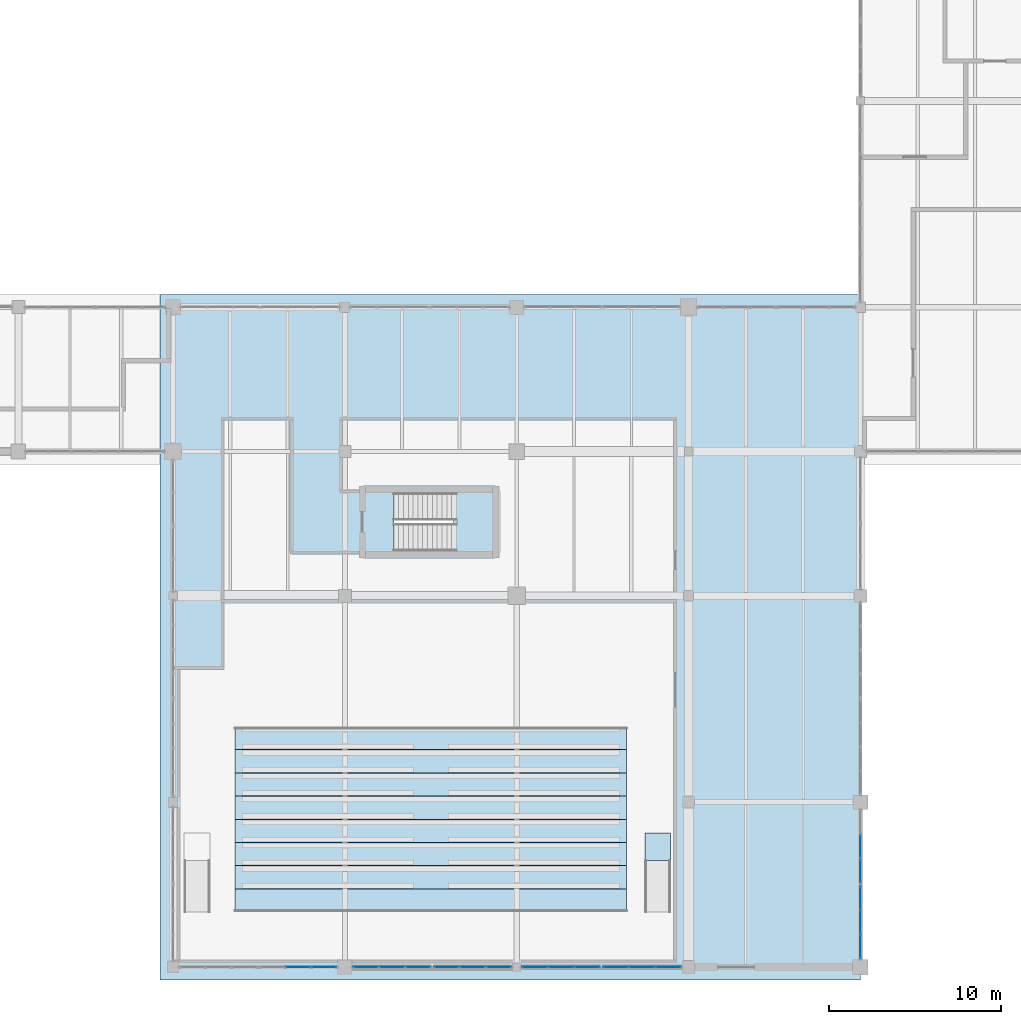
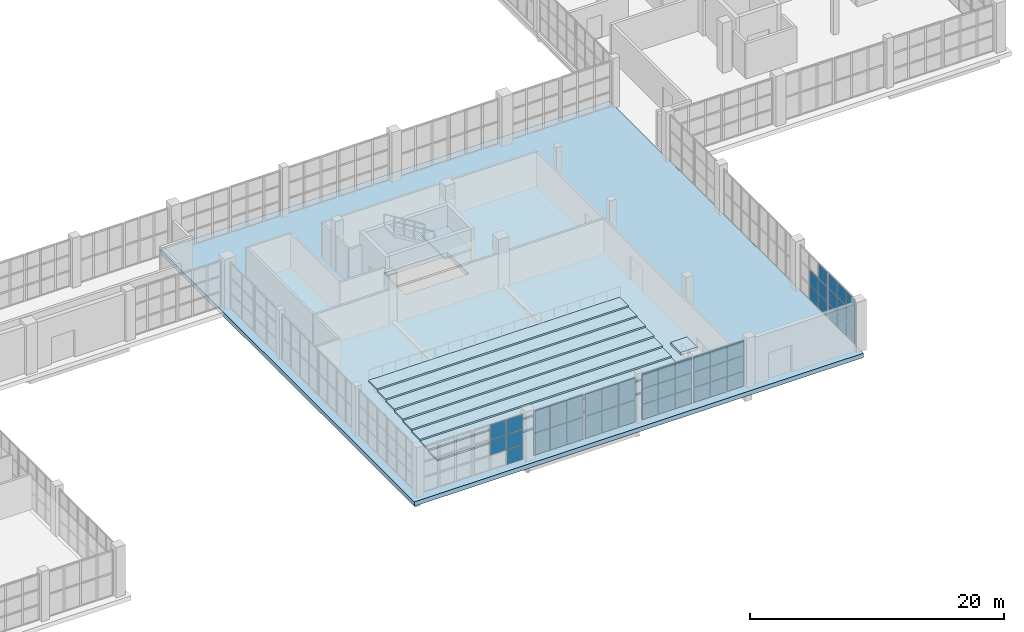
# One storey, part 91 of 121: 49 plates, 11 slabs, 9 elements without a shape of their own.
"""IFC4 building model written with IfcOpenShell, lengths in metres."""

from ifc_helpers import new_model, si_unit, direction, frame, origin, origin_2d, place, context, subcontext, project, spatial, polyline, rectangle, outline, extrude, material, layer, layer_set, type_object, element, aggregate, save


model = new_model("IFC4")

# Units and contexts
model_context = context("Model", 3, precision=1e-05, world=origin(), true_north=direction((0.0, 1.0)))
body_context = subcontext(model_context, "Body", "Model", "MODEL_VIEW")
ifc_project = project(units=[si_unit("LENGTHUNIT", "METRE"), si_unit("AREAUNIT", "SQUARE_METRE"), si_unit("VOLUMEUNIT", "CUBIC_METRE"), si_unit("PLANEANGLEUNIT", "RADIAN"), si_unit("MASSUNIT", "GRAM", prefix="KILO")], contexts=[model_context])

# Site, building, storey
site_placement = place(None, origin())
site = spatial("IfcSite", under=ifc_project, at=site_placement, CompositionType="ELEMENT")
building_placement = place(site_placement, origin())
building = spatial("IfcBuilding", under=site, at=building_placement, Name="Zereglee Splitstone Museum", CompositionType="ELEMENT")
storey_placement = place(building_placement, origin())
storey = spatial("IfcBuildingStorey", under=building, at=storey_placement, Name="L00", CompositionType="ELEMENT", Elevation=0.0)

# Curtain wall, plates
ifc_material_1 = material(Name="Triple-glazed low-E argon glass and bronze-anodised aluminium", Category="aluminium")
ifc_layer_1 = layer(ifc_material_1, 0.179931640625)
ifc_layer_set_1 = layer_set([ifc_layer_1], Name="Triple-glazed low-E argon glass and bronze-anodised aluminium")
curtain_wall_type_1 = type_object("IfcCurtainWallType", Name="CW-0456-442", PredefinedType="USERDEFINED", material=ifc_layer_set_1)
curtain_wall_1_placement = place(storey_placement, origin())
curtain_wall_1 = element("IfcCurtainWall", 1, at=curtain_wall_1_placement, inside=storey, type_object=curtain_wall_type_1, Name="Glazed Curtain Wall CW-0456-442 (L00)", ObjectType="GLAZED CURTAIN WALL", PredefinedType="USERDEFINED")
ifc_material_2 = material(Name="Triple low-e argon insulated safety glass", Category="glass")
ifc_layer_2 = layer(ifc_material_2, 0.035888671875)
ifc_layer_set_2 = layer_set([ifc_layer_2], Name="Triple low-e argon insulated safety glass")
plate_type = type_object("IfcPlateType", Name="CWP-01", PredefinedType="CURTAIN_PANEL", material=ifc_layer_set_2)
plate_1_placement = place(storey_placement, frame((263.28466796875, 0.0, 1.505859375), z_axis=(0.0, 0.0, 1.0), x_axis=(1.0, 0.0, 0.0)))
plate_1 = element("IfcPlate", 2, at=plate_1_placement, type_object=plate_type, Name="CW-0456-442 panel 2.2", PredefinedType="CURTAIN_PANEL", context=body_context, shape_type="SweptSolid", body=[
    extrude(rectangle(XDim=1.45654296875, YDim=0.035888671875, at=origin_2d()), origin(), (0.0, 0.0, 1.0), 1.408447265625),
])
plate_2_placement = place(storey_placement, frame((263.28466796875, 0.0, 2.97900390625), z_axis=(0.0, 0.0, 1.0), x_axis=(1.0, 0.0, 0.0)))
plate_2 = element("IfcPlate", 3, at=plate_2_placement, type_object=plate_type, Name="CW-0456-442 panel 2.3", PredefinedType="CURTAIN_PANEL", context=body_context, shape_type="SweptSolid", body=[
    extrude(rectangle(XDim=1.45654296875, YDim=0.035888671875, at=origin_2d()), origin(), (0.0, 0.0, 1.0), 1.375732421875),
])
plate_3_placement = place(storey_placement, frame((264.7900390625, 0.0, 0.06494140625), z_axis=(0.0, 0.0, 1.0), x_axis=(1.0, 0.0, 0.0)))
plate_3 = element("IfcPlate", 4, at=plate_3_placement, type_object=plate_type, Name="CW-0456-442 panel 3.1", PredefinedType="CURTAIN_PANEL", context=body_context, shape_type="SweptSolid", body=[
    extrude(rectangle(XDim=1.424072265625, YDim=0.035888671875, at=origin_2d()), origin(), (0.0, 0.0, 1.0), 1.375732421875),
])
plate_4_placement = place(storey_placement, frame((264.7900390625, 0.0, 1.505859375), z_axis=(0.0, 0.0, 1.0), x_axis=(1.0, 0.0, 0.0)))
plate_4 = element("IfcPlate", 5, at=plate_4_placement, type_object=plate_type, Name="CW-0456-442 panel 3.2", PredefinedType="CURTAIN_PANEL", context=body_context, shape_type="SweptSolid", body=[
    extrude(rectangle(XDim=1.424072265625, YDim=0.035888671875, at=origin_2d()), origin(), (0.0, 0.0, 1.0), 1.408447265625),
])
plate_5_placement = place(storey_placement, frame((264.7900390625, 0.0, 2.97900390625), z_axis=(0.0, 0.0, 1.0), x_axis=(1.0, 0.0, 0.0)))
plate_5 = element("IfcPlate", 6, at=plate_5_placement, type_object=plate_type, Name="CW-0456-442 panel 3.3", PredefinedType="CURTAIN_PANEL", context=body_context, shape_type="SweptSolid", body=[
    extrude(rectangle(XDim=1.424072265625, YDim=0.035888671875, at=origin_2d()), origin(), (0.0, 0.0, 1.0), 1.375732421875),
])
aggregate(curtain_wall_1, [plate_1, plate_2, plate_3, plate_4, plate_5])

ifc_layer_3 = layer(ifc_material_1, 0.179931640625)
ifc_layer_set_3 = layer_set([ifc_layer_3], Name="Triple-glazed low-E argon glass and bronze-anodised aluminium")
curtain_wall_type_2 = type_object("IfcCurtainWallType", Name="CW-0461-438", PredefinedType="USERDEFINED", material=ifc_layer_set_3)
curtain_wall_2_placement = place(storey_placement, origin())
curtain_wall_2 = element("IfcCurtainWall", 7, at=curtain_wall_2_placement, inside=storey, type_object=curtain_wall_type_2, Name="Glazed Curtain Wall CW-0461-438 (L00)", ObjectType="GLAZED CURTAIN WALL", PredefinedType="USERDEFINED")
plate_6_placement = place(storey_placement, frame((267.21826171875, 0.0, 0.06494140625), z_axis=(0.0, 0.0, 1.0), x_axis=(1.0, 0.0, 0.0)))
plate_6 = element("IfcPlate", 8, at=plate_6_placement, type_object=plate_type, Name="CW-0461-438 panel 1.1", PredefinedType="CURTAIN_PANEL", context=body_context, shape_type="SweptSolid", body=[
    extrude(rectangle(XDim=1.440673828125, YDim=0.035888671875, at=origin_2d()), origin(), (0.0, 0.0, 1.0), 2.092529296875),
])
plate_7_placement = place(storey_placement, frame((267.21826171875, 0.0, 2.22265625), z_axis=(0.0, 0.0, 1.0), x_axis=(1.0, 0.0, 0.0)))
plate_7 = element("IfcPlate", 9, at=plate_7_placement, type_object=plate_type, Name="CW-0461-438 panel 1.2", PredefinedType="CURTAIN_PANEL", context=body_context, shape_type="SweptSolid", body=[
    extrude(rectangle(XDim=1.440673828125, YDim=0.035888671875, at=origin_2d()), origin(), (0.0, 0.0, 1.0), 2.092529296875),
])
plate_8_placement = place(storey_placement, frame((268.740234375, 0.0, 0.06494140625), z_axis=(0.0, 0.0, 1.0), x_axis=(1.0, 0.0, 0.0)))
plate_8 = element("IfcPlate", 10, at=plate_8_placement, type_object=plate_type, Name="CW-0461-438 panel 2.1", PredefinedType="CURTAIN_PANEL", context=body_context, shape_type="SweptSolid", body=[
    extrude(rectangle(XDim=1.47314453125, YDim=0.035888671875, at=origin_2d()), origin(), (0.0, 0.0, 1.0), 2.092529296875),
])
plate_9_placement = place(storey_placement, frame((268.740234375, 0.0, 2.22265625), z_axis=(0.0, 0.0, 1.0), x_axis=(1.0, 0.0, 0.0)))
plate_9 = element("IfcPlate", 11, at=plate_9_placement, type_object=plate_type, Name="CW-0461-438 panel 2.2", PredefinedType="CURTAIN_PANEL", context=body_context, shape_type="SweptSolid", body=[
    extrude(rectangle(XDim=1.47314453125, YDim=0.035888671875, at=origin_2d()), origin(), (0.0, 0.0, 1.0), 2.092529296875),
])
plate_10_placement = place(storey_placement, frame((270.26220703125, 0.0, 0.06494140625), z_axis=(0.0, 0.0, 1.0), x_axis=(1.0, 0.0, 0.0)))
plate_10 = element("IfcPlate", 12, at=plate_10_placement, type_object=plate_type, Name="CW-0461-438 panel 3.1", PredefinedType="CURTAIN_PANEL", context=body_context, shape_type="SweptSolid", body=[
    extrude(rectangle(XDim=1.440673828125, YDim=0.035888671875, at=origin_2d()), origin(), (0.0, 0.0, 1.0), 2.092529296875),
])
plate_11_placement = place(storey_placement, frame((270.26220703125, 0.0, 2.22265625), z_axis=(0.0, 0.0, 1.0), x_axis=(1.0, 0.0, 0.0)))
plate_11 = element("IfcPlate", 13, at=plate_11_placement, type_object=plate_type, Name="CW-0461-438 panel 3.2", PredefinedType="CURTAIN_PANEL", context=body_context, shape_type="SweptSolid", body=[
    extrude(rectangle(XDim=1.440673828125, YDim=0.035888671875, at=origin_2d()), origin(), (0.0, 0.0, 1.0), 2.092529296875),
])
aggregate(curtain_wall_2, [plate_6, plate_7, plate_8, plate_9, plate_10, plate_11])

ifc_layer_4 = layer(ifc_material_1, 0.179931640625)
ifc_layer_set_4 = layer_set([ifc_layer_4], Name="Triple-glazed low-E argon glass and bronze-anodised aluminium")
curtain_wall_type_3 = type_object("IfcCurtainWallType", Name="CW-0461-436", PredefinedType="USERDEFINED", material=ifc_layer_set_4)
curtain_wall_3_placement = place(storey_placement, origin())
curtain_wall_3 = element("IfcCurtainWall", 14, at=curtain_wall_3_placement, inside=storey, type_object=curtain_wall_type_3, Name="Glazed Curtain Wall CW-0461-436 (L00)", ObjectType="GLAZED CURTAIN WALL", PredefinedType="USERDEFINED")
plate_12_placement = place(storey_placement, frame((271.912841796875, 0.0, 0.06494140625), z_axis=(0.0, 0.0, 1.0), x_axis=(1.0, 0.0, 0.0)))
plate_12 = element("IfcPlate", 15, at=plate_12_placement, type_object=plate_type, Name="CW-0461-436 panel 1.1", PredefinedType="CURTAIN_PANEL", context=body_context, shape_type="SweptSolid", body=[
    extrude(rectangle(XDim=1.440673828125, YDim=0.035888671875, at=origin_2d()), origin(), (0.0, 0.0, 1.0), 2.08251953125),
])
plate_13_placement = place(storey_placement, frame((271.912841796875, 0.0, 2.21240234375), z_axis=(0.0, 0.0, 1.0), x_axis=(1.0, 0.0, 0.0)))
plate_13 = element("IfcPlate", 16, at=plate_13_placement, type_object=plate_type, Name="CW-0461-436 panel 1.2", PredefinedType="CURTAIN_PANEL", context=body_context, shape_type="SweptSolid", body=[
    extrude(rectangle(XDim=1.440673828125, YDim=0.035888671875, at=origin_2d()), origin(), (0.0, 0.0, 1.0), 2.08251953125),
])
plate_14_placement = place(storey_placement, frame((273.434814453125, 0.0, 0.06494140625), z_axis=(0.0, 0.0, 1.0), x_axis=(1.0, 0.0, 0.0)))
plate_14 = element("IfcPlate", 17, at=plate_14_placement, type_object=plate_type, Name="CW-0461-436 panel 2.1", PredefinedType="CURTAIN_PANEL", context=body_context, shape_type="SweptSolid", body=[
    extrude(rectangle(XDim=1.47314453125, YDim=0.035888671875, at=origin_2d()), origin(), (0.0, 0.0, 1.0), 2.08251953125),
])
plate_15_placement = place(storey_placement, frame((273.434814453125, 0.0, 2.21240234375), z_axis=(0.0, 0.0, 1.0), x_axis=(1.0, 0.0, 0.0)))
plate_15 = element("IfcPlate", 18, at=plate_15_placement, type_object=plate_type, Name="CW-0461-436 panel 2.2", PredefinedType="CURTAIN_PANEL", context=body_context, shape_type="SweptSolid", body=[
    extrude(rectangle(XDim=1.47314453125, YDim=0.035888671875, at=origin_2d()), origin(), (0.0, 0.0, 1.0), 2.08251953125),
])
plate_16_placement = place(storey_placement, frame((274.956787109375, 0.0, 0.06494140625), z_axis=(0.0, 0.0, 1.0), x_axis=(1.0, 0.0, 0.0)))
plate_16 = element("IfcPlate", 19, at=plate_16_placement, type_object=plate_type, Name="CW-0461-436 panel 3.1", PredefinedType="CURTAIN_PANEL", context=body_context, shape_type="SweptSolid", body=[
    extrude(rectangle(XDim=1.440673828125, YDim=0.035888671875, at=origin_2d()), origin(), (0.0, 0.0, 1.0), 2.08251953125),
])
plate_17_placement = place(storey_placement, frame((274.956787109375, 0.0, 2.21240234375), z_axis=(0.0, 0.0, 1.0), x_axis=(1.0, 0.0, 0.0)))
plate_17 = element("IfcPlate", 20, at=plate_17_placement, type_object=plate_type, Name="CW-0461-436 panel 3.2", PredefinedType="CURTAIN_PANEL", context=body_context, shape_type="SweptSolid", body=[
    extrude(rectangle(XDim=1.440673828125, YDim=0.035888671875, at=origin_2d()), origin(), (0.0, 0.0, 1.0), 2.08251953125),
])
aggregate(curtain_wall_3, [plate_12, plate_13, plate_14, plate_15, plate_16, plate_17])

ifc_layer_5 = layer(ifc_material_1, 0.179931640625)
ifc_layer_set_5 = layer_set([ifc_layer_5], Name="Triple-glazed low-E argon glass and bronze-anodised aluminium")
curtain_wall_type_4 = type_object("IfcCurtainWallType", Name="CW-0464-450", PredefinedType="USERDEFINED", material=ifc_layer_set_5)
curtain_wall_4_placement = place(storey_placement, origin())
curtain_wall_4 = element("IfcCurtainWall", 21, at=curtain_wall_4_placement, inside=storey, type_object=curtain_wall_type_4, Name="Glazed Curtain Wall CW-0464-450 (L00)", ObjectType="GLAZED CURTAIN WALL", PredefinedType="USERDEFINED")
plate_18_placement = place(storey_placement, frame((277.047607421875, 0.0, 0.06494140625), z_axis=(0.0, 0.0, 1.0), x_axis=(1.0, 0.0, 0.0)))
plate_18 = element("IfcPlate", 22, at=plate_18_placement, type_object=plate_type, Name="CW-0464-450 panel 1.1", PredefinedType="CURTAIN_PANEL", context=body_context, shape_type="SweptSolid", body=[
    extrude(rectangle(XDim=1.448974609375, YDim=0.035888671875, at=origin_2d()), origin(), (0.0, 0.0, 1.0), 1.402587890625),
])
plate_19_placement = place(storey_placement, frame((277.047607421875, 0.0, 1.532470703125), z_axis=(0.0, 0.0, 1.0), x_axis=(1.0, 0.0, 0.0)))
plate_19 = element("IfcPlate", 23, at=plate_19_placement, type_object=plate_type, Name="CW-0464-450 panel 1.2", PredefinedType="CURTAIN_PANEL", context=body_context, shape_type="SweptSolid", body=[
    extrude(rectangle(XDim=1.448974609375, YDim=0.035888671875, at=origin_2d()), origin(), (0.0, 0.0, 1.0), 1.43505859375),
])
plate_20_placement = place(storey_placement, frame((277.047607421875, 0.0, 3.0322265625), z_axis=(0.0, 0.0, 1.0), x_axis=(1.0, 0.0, 0.0)))
plate_20 = element("IfcPlate", 24, at=plate_20_placement, type_object=plate_type, Name="CW-0464-450 panel 1.3", PredefinedType="CURTAIN_PANEL", context=body_context, shape_type="SweptSolid", body=[
    extrude(rectangle(XDim=1.448974609375, YDim=0.035888671875, at=origin_2d()), origin(), (0.0, 0.0, 1.0), 1.402587890625),
])
plate_21_placement = place(storey_placement, frame((278.57763671875, 0.0, 0.06494140625), z_axis=(0.0, 0.0, 1.0), x_axis=(1.0, 0.0, 0.0)))
plate_21 = element("IfcPlate", 25, at=plate_21_placement, type_object=plate_type, Name="CW-0464-450 panel 2.1", PredefinedType="CURTAIN_PANEL", context=body_context, shape_type="SweptSolid", body=[
    extrude(rectangle(XDim=1.4814453125, YDim=0.035888671875, at=origin_2d()), origin(), (0.0, 0.0, 1.0), 1.402587890625),
])
plate_22_placement = place(storey_placement, frame((278.57763671875, 0.0, 1.532470703125), z_axis=(0.0, 0.0, 1.0), x_axis=(1.0, 0.0, 0.0)))
plate_22 = element("IfcPlate", 26, at=plate_22_placement, type_object=plate_type, Name="CW-0464-450 panel 2.2", PredefinedType="CURTAIN_PANEL", context=body_context, shape_type="SweptSolid", body=[
    extrude(rectangle(XDim=1.4814453125, YDim=0.035888671875, at=origin_2d()), origin(), (0.0, 0.0, 1.0), 1.43505859375),
])
plate_23_placement = place(storey_placement, frame((278.57763671875, 0.0, 3.0322265625), z_axis=(0.0, 0.0, 1.0), x_axis=(1.0, 0.0, 0.0)))
plate_23 = element("IfcPlate", 27, at=plate_23_placement, type_object=plate_type, Name="CW-0464-450 panel 2.3", PredefinedType="CURTAIN_PANEL", context=body_context, shape_type="SweptSolid", body=[
    extrude(rectangle(XDim=1.4814453125, YDim=0.035888671875, at=origin_2d()), origin(), (0.0, 0.0, 1.0), 1.402587890625),
])
plate_24_placement = place(storey_placement, frame((280.10791015625, 0.0, 0.06494140625), z_axis=(0.0, 0.0, 1.0), x_axis=(1.0, 0.0, 0.0)))
plate_24 = element("IfcPlate", 28, at=plate_24_placement, type_object=plate_type, Name="CW-0464-450 panel 3.1", PredefinedType="CURTAIN_PANEL", context=body_context, shape_type="SweptSolid", body=[
    extrude(rectangle(XDim=1.448974609375, YDim=0.035888671875, at=origin_2d()), origin(), (0.0, 0.0, 1.0), 1.402587890625),
])
plate_25_placement = place(storey_placement, frame((280.10791015625, 0.0, 1.532470703125), z_axis=(0.0, 0.0, 1.0), x_axis=(1.0, 0.0, 0.0)))
plate_25 = element("IfcPlate", 29, at=plate_25_placement, type_object=plate_type, Name="CW-0464-450 panel 3.2", PredefinedType="CURTAIN_PANEL", context=body_context, shape_type="SweptSolid", body=[
    extrude(rectangle(XDim=1.448974609375, YDim=0.035888671875, at=origin_2d()), origin(), (0.0, 0.0, 1.0), 1.43505859375),
])
plate_26_placement = place(storey_placement, frame((280.10791015625, 0.0, 3.0322265625), z_axis=(0.0, 0.0, 1.0), x_axis=(1.0, 0.0, 0.0)))
plate_26 = element("IfcPlate", 30, at=plate_26_placement, type_object=plate_type, Name="CW-0464-450 panel 3.3", PredefinedType="CURTAIN_PANEL", context=body_context, shape_type="SweptSolid", body=[
    extrude(rectangle(XDim=1.448974609375, YDim=0.035888671875, at=origin_2d()), origin(), (0.0, 0.0, 1.0), 1.402587890625),
])
aggregate(curtain_wall_4, [plate_18, plate_19, plate_20, plate_21, plate_22, plate_23, plate_24, plate_25, plate_26])

ifc_layer_6 = layer(ifc_material_1, 0.179931640625)
ifc_layer_set_6 = layer_set([ifc_layer_6], Name="Triple-glazed low-E argon glass and bronze-anodised aluminium")
curtain_wall_type_5 = type_object("IfcCurtainWallType", Name="CW-0464-448", PredefinedType="USERDEFINED", material=ifc_layer_set_6)
curtain_wall_5_placement = place(storey_placement, origin())
curtain_wall_5 = element("IfcCurtainWall", 31, at=curtain_wall_5_placement, inside=storey, type_object=curtain_wall_type_5, Name="Glazed Curtain Wall CW-0464-448 (L00)", ObjectType="GLAZED CURTAIN WALL", PredefinedType="USERDEFINED")
plate_27_placement = place(storey_placement, frame((281.76708984375, 0.0, 0.06494140625), z_axis=(0.0, 0.0, 1.0), x_axis=(1.0, 0.0, 0.0)))
plate_27 = element("IfcPlate", 32, at=plate_27_placement, type_object=plate_type, Name="CW-0464-448 panel 1.1", PredefinedType="CURTAIN_PANEL", context=body_context, shape_type="SweptSolid", body=[
    extrude(rectangle(XDim=1.448974609375, YDim=0.035888671875, at=origin_2d()), origin(), (0.0, 0.0, 1.0), 1.395751953125),
])
plate_28_placement = place(storey_placement, frame((281.76708984375, 0.0, 1.52587890625), z_axis=(0.0, 0.0, 1.0), x_axis=(1.0, 0.0, 0.0)))
plate_28 = element("IfcPlate", 33, at=plate_28_placement, type_object=plate_type, Name="CW-0464-448 panel 1.2", PredefinedType="CURTAIN_PANEL", context=body_context, shape_type="SweptSolid", body=[
    extrude(rectangle(XDim=1.448974609375, YDim=0.035888671875, at=origin_2d()), origin(), (0.0, 0.0, 1.0), 1.428466796875),
])
plate_29_placement = place(storey_placement, frame((281.76708984375, 0.0, 3.01904296875), z_axis=(0.0, 0.0, 1.0), x_axis=(1.0, 0.0, 0.0)))
plate_29 = element("IfcPlate", 34, at=plate_29_placement, type_object=plate_type, Name="CW-0464-448 panel 1.3", PredefinedType="CURTAIN_PANEL", context=body_context, shape_type="SweptSolid", body=[
    extrude(rectangle(XDim=1.448974609375, YDim=0.035888671875, at=origin_2d()), origin(), (0.0, 0.0, 1.0), 1.395751953125),
])
plate_30_placement = place(storey_placement, frame((283.29736328125, 0.0, 0.06494140625), z_axis=(0.0, 0.0, 1.0), x_axis=(1.0, 0.0, 0.0)))
plate_30 = element("IfcPlate", 35, at=plate_30_placement, type_object=plate_type, Name="CW-0464-448 panel 2.1", PredefinedType="CURTAIN_PANEL", context=body_context, shape_type="SweptSolid", body=[
    extrude(rectangle(XDim=1.4814453125, YDim=0.035888671875, at=origin_2d()), origin(), (0.0, 0.0, 1.0), 1.395751953125),
])
plate_31_placement = place(storey_placement, frame((283.29736328125, 0.0, 1.52587890625), z_axis=(0.0, 0.0, 1.0), x_axis=(1.0, 0.0, 0.0)))
plate_31 = element("IfcPlate", 36, at=plate_31_placement, type_object=plate_type, Name="CW-0464-448 panel 2.2", PredefinedType="CURTAIN_PANEL", context=body_context, shape_type="SweptSolid", body=[
    extrude(rectangle(XDim=1.4814453125, YDim=0.035888671875, at=origin_2d()), origin(), (0.0, 0.0, 1.0), 1.428466796875),
])
plate_32_placement = place(storey_placement, frame((283.29736328125, 0.0, 3.01904296875), z_axis=(0.0, 0.0, 1.0), x_axis=(1.0, 0.0, 0.0)))
plate_32 = element("IfcPlate", 37, at=plate_32_placement, type_object=plate_type, Name="CW-0464-448 panel 2.3", PredefinedType="CURTAIN_PANEL", context=body_context, shape_type="SweptSolid", body=[
    extrude(rectangle(XDim=1.4814453125, YDim=0.035888671875, at=origin_2d()), origin(), (0.0, 0.0, 1.0), 1.395751953125),
])
plate_33_placement = place(storey_placement, frame((284.827392578125, 0.0, 0.06494140625), z_axis=(0.0, 0.0, 1.0), x_axis=(1.0, 0.0, 0.0)))
plate_33 = element("IfcPlate", 38, at=plate_33_placement, type_object=plate_type, Name="CW-0464-448 panel 3.1", PredefinedType="CURTAIN_PANEL", context=body_context, shape_type="SweptSolid", body=[
    extrude(rectangle(XDim=1.448974609375, YDim=0.035888671875, at=origin_2d()), origin(), (0.0, 0.0, 1.0), 1.395751953125),
])
plate_34_placement = place(storey_placement, frame((284.827392578125, 0.0, 1.52587890625), z_axis=(0.0, 0.0, 1.0), x_axis=(1.0, 0.0, 0.0)))
plate_34 = element("IfcPlate", 39, at=plate_34_placement, type_object=plate_type, Name="CW-0464-448 panel 3.2", PredefinedType="CURTAIN_PANEL", context=body_context, shape_type="SweptSolid", body=[
    extrude(rectangle(XDim=1.448974609375, YDim=0.035888671875, at=origin_2d()), origin(), (0.0, 0.0, 1.0), 1.428466796875),
])
plate_35_placement = place(storey_placement, frame((284.827392578125, 0.0, 3.01904296875), z_axis=(0.0, 0.0, 1.0), x_axis=(1.0, 0.0, 0.0)))
plate_35 = element("IfcPlate", 40, at=plate_35_placement, type_object=plate_type, Name="CW-0464-448 panel 3.3", PredefinedType="CURTAIN_PANEL", context=body_context, shape_type="SweptSolid", body=[
    extrude(rectangle(XDim=1.448974609375, YDim=0.035888671875, at=origin_2d()), origin(), (0.0, 0.0, 1.0), 1.395751953125),
])
aggregate(curtain_wall_5, [plate_27, plate_28, plate_29, plate_30, plate_31, plate_32, plate_33, plate_34, plate_35])

ifc_layer_7 = layer(ifc_material_1, 0.179931640625)
ifc_layer_set_7 = layer_set([ifc_layer_7], Name="Triple-glazed low-E argon glass and bronze-anodised aluminium")
curtain_wall_type_6 = type_object("IfcCurtainWallType", Name="CW-0431-444", PredefinedType="USERDEFINED", material=ifc_layer_set_7)
curtain_wall_6_placement = place(storey_placement, origin())
curtain_wall_6 = element("IfcCurtainWall", 41, at=curtain_wall_6_placement, inside=storey, type_object=curtain_wall_type_6, Name="Glazed Curtain Wall CW-0431-444 (L00)", ObjectType="GLAZED CURTAIN WALL", PredefinedType="USERDEFINED")
plate_36_placement = place(storey_placement, frame((296.0, 1.193359375, 0.06494140625), z_axis=(0.0, 0.0, 1.0), x_axis=(0.0, 1.0, 0.0)))
plate_36 = element("IfcPlate", 42, at=plate_36_placement, type_object=plate_type, Name="CW-0431-444 panel 1.1", PredefinedType="CURTAIN_PANEL", context=body_context, shape_type="SweptSolid", body=[
    extrude(rectangle(XDim=1.340576171875, YDim=0.035888671875, at=origin_2d()), origin(), (0.0, 0.0, 1.0), 1.382568359375),
])
plate_37_placement = place(storey_placement, frame((296.0, 1.193359375, 1.512451171875), z_axis=(0.0, 0.0, 1.0), x_axis=(0.0, 1.0, 0.0)))
plate_37 = element("IfcPlate", 43, at=plate_37_placement, type_object=plate_type, Name="CW-0431-444 panel 1.2", PredefinedType="CURTAIN_PANEL", context=body_context, shape_type="SweptSolid", body=[
    extrude(rectangle(XDim=1.340576171875, YDim=0.035888671875, at=origin_2d()), origin(), (0.0, 0.0, 1.0), 1.4150390625),
])
plate_38_placement = place(storey_placement, frame((296.0, 1.193359375, 2.99267578125), z_axis=(0.0, 0.0, 1.0), x_axis=(0.0, 1.0, 0.0)))
plate_38 = element("IfcPlate", 44, at=plate_38_placement, type_object=plate_type, Name="CW-0431-444 panel 1.3", PredefinedType="CURTAIN_PANEL", context=body_context, shape_type="SweptSolid", body=[
    extrude(rectangle(XDim=1.340576171875, YDim=0.035888671875, at=origin_2d()), origin(), (0.0, 0.0, 1.0), 1.382568359375),
])
plate_39_placement = place(storey_placement, frame((296.0, 2.615234375, 0.06494140625), z_axis=(0.0, 0.0, 1.0), x_axis=(0.0, 1.0, 0.0)))
plate_39 = element("IfcPlate", 45, at=plate_39_placement, type_object=plate_type, Name="CW-0431-444 panel 2.1", PredefinedType="CURTAIN_PANEL", context=body_context, shape_type="SweptSolid", body=[
    extrude(rectangle(XDim=1.373046875, YDim=0.035888671875, at=origin_2d()), origin(), (0.0, 0.0, 1.0), 1.382568359375),
])
plate_40_placement = place(storey_placement, frame((296.0, 2.615234375, 1.512451171875), z_axis=(0.0, 0.0, 1.0), x_axis=(0.0, 1.0, 0.0)))
plate_40 = element("IfcPlate", 46, at=plate_40_placement, type_object=plate_type, Name="CW-0431-444 panel 2.2", PredefinedType="CURTAIN_PANEL", context=body_context, shape_type="SweptSolid", body=[
    extrude(rectangle(XDim=1.373046875, YDim=0.035888671875, at=origin_2d()), origin(), (0.0, 0.0, 1.0), 1.4150390625),
])
plate_41_placement = place(storey_placement, frame((296.0, 2.615234375, 2.99267578125), z_axis=(0.0, 0.0, 1.0), x_axis=(0.0, 1.0, 0.0)))
plate_41 = element("IfcPlate", 47, at=plate_41_placement, type_object=plate_type, Name="CW-0431-444 panel 2.3", PredefinedType="CURTAIN_PANEL", context=body_context, shape_type="SweptSolid", body=[
    extrude(rectangle(XDim=1.373046875, YDim=0.035888671875, at=origin_2d()), origin(), (0.0, 0.0, 1.0), 1.382568359375),
])
plate_42_placement = place(storey_placement, frame((296.0, 4.037109375, 0.06494140625), z_axis=(0.0, 0.0, 1.0), x_axis=(0.0, 1.0, 0.0)))
plate_42 = element("IfcPlate", 48, at=plate_42_placement, type_object=plate_type, Name="CW-0431-444 panel 3.1", PredefinedType="CURTAIN_PANEL", context=body_context, shape_type="SweptSolid", body=[
    extrude(rectangle(XDim=1.340576171875, YDim=0.035888671875, at=origin_2d()), origin(), (0.0, 0.0, 1.0), 1.382568359375),
])
plate_43_placement = place(storey_placement, frame((296.0, 4.037109375, 1.512451171875), z_axis=(0.0, 0.0, 1.0), x_axis=(0.0, 1.0, 0.0)))
plate_43 = element("IfcPlate", 49, at=plate_43_placement, type_object=plate_type, Name="CW-0431-444 panel 3.2", PredefinedType="CURTAIN_PANEL", context=body_context, shape_type="SweptSolid", body=[
    extrude(rectangle(XDim=1.340576171875, YDim=0.035888671875, at=origin_2d()), origin(), (0.0, 0.0, 1.0), 1.4150390625),
])
plate_44_placement = place(storey_placement, frame((296.0, 4.037109375, 2.99267578125), z_axis=(0.0, 0.0, 1.0), x_axis=(0.0, 1.0, 0.0)))
plate_44 = element("IfcPlate", 50, at=plate_44_placement, type_object=plate_type, Name="CW-0431-444 panel 3.3", PredefinedType="CURTAIN_PANEL", context=body_context, shape_type="SweptSolid", body=[
    extrude(rectangle(XDim=1.340576171875, YDim=0.035888671875, at=origin_2d()), origin(), (0.0, 0.0, 1.0), 1.382568359375),
])
aggregate(curtain_wall_6, [plate_36, plate_37, plate_38, plate_39, plate_40, plate_41, plate_42, plate_43, plate_44])

ifc_layer_8 = layer(ifc_material_1, 0.179931640625)
ifc_layer_set_8 = layer_set([ifc_layer_8], Name="Triple-glazed low-E argon glass and bronze-anodised aluminium")
curtain_wall_type_7 = type_object("IfcCurtainWallType", Name="CW-0431-442", PredefinedType="USERDEFINED", material=ifc_layer_set_8)
curtain_wall_7_placement = place(storey_placement, origin())
curtain_wall_7 = element("IfcCurtainWall", 51, at=curtain_wall_7_placement, inside=storey, type_object=curtain_wall_type_7, Name="Glazed Curtain Wall CW-0431-442 (L00)", ObjectType="GLAZED CURTAIN WALL", PredefinedType="USERDEFINED")
plate_45_placement = place(storey_placement, frame((296.0, 5.587890625, 0.06494140625), z_axis=(0.0, 0.0, 1.0), x_axis=(0.0, 1.0, 0.0)))
plate_45 = element("IfcPlate", 52, at=plate_45_placement, type_object=plate_type, Name="CW-0431-442 panel 1.1", PredefinedType="CURTAIN_PANEL", context=body_context, shape_type="SweptSolid", body=[
    extrude(rectangle(XDim=1.340576171875, YDim=0.035888671875, at=origin_2d()), origin(), (0.0, 0.0, 1.0), 1.375732421875),
])
plate_46_placement = place(storey_placement, frame((296.0, 5.587890625, 1.505859375), z_axis=(0.0, 0.0, 1.0), x_axis=(0.0, 1.0, 0.0)))
plate_46 = element("IfcPlate", 53, at=plate_46_placement, type_object=plate_type, Name="CW-0431-442 panel 1.2", PredefinedType="CURTAIN_PANEL", context=body_context, shape_type="SweptSolid", body=[
    extrude(rectangle(XDim=1.340576171875, YDim=0.035888671875, at=origin_2d()), origin(), (0.0, 0.0, 1.0), 1.408447265625),
])
plate_47_placement = place(storey_placement, frame((296.0, 5.587890625, 2.97900390625), z_axis=(0.0, 0.0, 1.0), x_axis=(0.0, 1.0, 0.0)))
plate_47 = element("IfcPlate", 54, at=plate_47_placement, type_object=plate_type, Name="CW-0431-442 panel 1.3", PredefinedType="CURTAIN_PANEL", context=body_context, shape_type="SweptSolid", body=[
    extrude(rectangle(XDim=1.340576171875, YDim=0.035888671875, at=origin_2d()), origin(), (0.0, 0.0, 1.0), 1.375732421875),
])
plate_48_placement = place(storey_placement, frame((296.0, 7.009765625, 0.06494140625), z_axis=(0.0, 0.0, 1.0), x_axis=(0.0, 1.0, 0.0)))
plate_48 = element("IfcPlate", 55, at=plate_48_placement, type_object=plate_type, Name="CW-0431-442 panel 2.1", PredefinedType="CURTAIN_PANEL", context=body_context, shape_type="SweptSolid", body=[
    extrude(rectangle(XDim=1.373046875, YDim=0.035888671875, at=origin_2d()), origin(), (0.0, 0.0, 1.0), 1.375732421875),
])
plate_49_placement = place(storey_placement, frame((296.0, 7.009765625, 1.505859375), z_axis=(0.0, 0.0, 1.0), x_axis=(0.0, 1.0, 0.0)))
plate_49 = element("IfcPlate", 56, at=plate_49_placement, type_object=plate_type, Name="CW-0431-442 panel 2.2", PredefinedType="CURTAIN_PANEL", context=body_context, shape_type="SweptSolid", body=[
    extrude(rectangle(XDim=1.373046875, YDim=0.035888671875, at=origin_2d()), origin(), (0.0, 0.0, 1.0), 1.408447265625),
])
aggregate(curtain_wall_7, [plate_45, plate_46, plate_47, plate_48, plate_49])

# Slab
ifc_material_3 = material(Name="Concrete C35/45", Category="concrete")
ifc_layer_9 = layer(ifc_material_3, 0.419921875)
ifc_layer_set_9 = layer_set([ifc_layer_9], Name="Concrete C35/45")
slab_type_1 = type_object("IfcSlabType", Name="FS-01", PredefinedType="FLOOR", material=ifc_layer_set_9)
slab_1_placement = place(storey_placement, frame((0.0, 0.0, -0.419921875)))
element("IfcSlab", 57, at=slab_1_placement, inside=storey, type_object=slab_type_1, Name="Gallery Floor Slab L00-V5", PredefinedType="FLOOR", context=body_context, shape_type="SweptSolid", body=[
    extrude(outline(polyline([(255.25, -0.75), (296.0, -0.75), (296.0, 39.14990234375), (255.25, 39.14990234375), (255.25, -0.75)]), holes=[polyline([(268.85400390625, 24.199951171875), (274.60009765625, 24.199951171875), (274.60009765625, 27.60009765625), (268.85400390625, 27.60009765625), (268.85400390625, 24.199951171875)])]), origin(), (0.0, 0.0, 1.0), 0.419921875),
])

# Ramp, slab
ramp_type = type_object("IfcRampType", Name="RMP-01", PredefinedType="STRAIGHT_RUN_RAMP", material=ifc_material_3)
ramp_placement = place(storey_placement, origin())
ramp = element("IfcRamp", 58, at=ramp_placement, inside=storey, type_object=ramp_type, Name="Auditorium Vomitory Ramp VR-2", PredefinedType="STRAIGHT_RUN_RAMP")
ifc_layer_10 = layer(ifc_material_3, 0.25)
ifc_layer_set_10 = layer_set([ifc_layer_10], Name="Concrete C35/45")
slab_type_2 = type_object("IfcSlabType", Name="LS-01", PredefinedType="LANDING", material=ifc_layer_set_10)
slab_2_placement = place(storey_placement, origin())
slab_2 = element("IfcSlab", 59, at=slab_2_placement, type_object=slab_type_2, Name="Auditorium Vomitory Ramp VR-2 Arrival Landing", PredefinedType="LANDING", context=body_context, shape_type="SweptSolid", body=[
    extrude(outline(polyline([(283.449951171875, 6.199951171875), (284.949951171875, 6.199951171875), (284.949951171875, 7.800048828125), (283.449951171875, 7.800048828125), (283.449951171875, 6.199951171875)])), origin(), (0.0, 0.0, 1.0), 0.25),
])
aggregate(ramp, [slab_2])

# Slabs
ifc_layer_11 = layer(ifc_material_3, 0.14990234375)
ifc_layer_set_11 = layer_set([ifc_layer_11], Name="Concrete C35/45")
slab_type_3 = type_object("IfcSlabType", Name="ST-T1", PredefinedType="USERDEFINED", material=ifc_layer_set_11)
slab_3_placement = place(storey_placement, origin())
element("IfcSlab", 60, at=slab_3_placement, inside=storey, type_object=slab_type_3, Name="Stand Lower Tier Bay 1", ObjectType="SEATING TIER", PredefinedType="USERDEFINED", context=body_context, shape_type="SweptSolid", body=[
    extrude(outline(polyline([(259.60009765625, 3.199951171875), (282.39990234375, 3.199951171875), (282.39990234375, 4.550048828125), (259.60009765625, 4.550048828125), (259.60009765625, 3.199951171875)])), origin(), (0.0, 0.0, 1.0), 0.14990234375),
])
slab_4_placement = place(storey_placement, frame((0.0, 0.0, 0.14990234375)))
element("IfcSlab", 61, at=slab_4_placement, inside=storey, type_object=slab_type_3, Name="Stand Lower Tier Bay 2", ObjectType="SEATING TIER", PredefinedType="USERDEFINED", context=body_context, shape_type="SweptSolid", body=[
    extrude(outline(polyline([(259.60009765625, 4.550048828125), (282.39990234375, 4.550048828125), (282.39990234375, 5.89990234375), (259.60009765625, 5.89990234375), (259.60009765625, 4.550048828125)])), origin(), (0.0, 0.0, 1.0), 0.150146484375),
])
slab_5_placement = place(storey_placement, frame((0.0, 0.0, 0.300048828125)))
element("IfcSlab", 62, at=slab_5_placement, inside=storey, type_object=slab_type_3, Name="Stand Lower Tier Bay 3", ObjectType="SEATING TIER", PredefinedType="USERDEFINED", context=body_context, shape_type="SweptSolid", body=[
    extrude(outline(polyline([(259.60009765625, 5.89990234375), (282.39990234375, 5.89990234375), (282.39990234375, 7.25), (259.60009765625, 7.25), (259.60009765625, 5.89990234375)])), origin(), (0.0, 0.0, 1.0), 0.14990234375),
])
slab_6_placement = place(storey_placement, frame((0.0, 0.0, 0.449951171875)))
element("IfcSlab", 63, at=slab_6_placement, inside=storey, type_object=slab_type_3, Name="Stand Lower Tier Bay 4", ObjectType="SEATING TIER", PredefinedType="USERDEFINED", context=body_context, shape_type="SweptSolid", body=[
    extrude(outline(polyline([(259.60009765625, 7.25), (282.39990234375, 7.25), (282.39990234375, 8.60009765625), (259.60009765625, 8.60009765625), (259.60009765625, 7.25)])), origin(), (0.0, 0.0, 1.0), 0.150146484375),
])
slab_7_placement = place(storey_placement, frame((0.0, 0.0, 0.60009765625)))
element("IfcSlab", 64, at=slab_7_placement, inside=storey, type_object=slab_type_3, Name="Stand Lower Tier Bay 5", ObjectType="SEATING TIER", PredefinedType="USERDEFINED", context=body_context, shape_type="SweptSolid", body=[
    extrude(outline(polyline([(259.60009765625, 8.60009765625), (282.39990234375, 8.60009765625), (282.39990234375, 9.949951171875), (259.60009765625, 9.949951171875), (259.60009765625, 8.60009765625)])), origin(), (0.0, 0.0, 1.0), 0.14990234375),
])
slab_8_placement = place(storey_placement, frame((0.0, 0.0, 0.75)))
element("IfcSlab", 65, at=slab_8_placement, inside=storey, type_object=slab_type_3, Name="Stand Lower Tier Bay 6", ObjectType="SEATING TIER", PredefinedType="USERDEFINED", context=body_context, shape_type="SweptSolid", body=[
    extrude(outline(polyline([(259.60009765625, 9.949951171875), (282.39990234375, 9.949951171875), (282.39990234375, 11.300048828125), (259.60009765625, 11.300048828125), (259.60009765625, 9.949951171875)])), origin(), (0.0, 0.0, 1.0), 0.14990234375),
])
slab_9_placement = place(storey_placement, frame((0.0, 0.0, 0.89990234375)))
element("IfcSlab", 66, at=slab_9_placement, inside=storey, type_object=slab_type_3, Name="Stand Lower Tier Bay 7", ObjectType="SEATING TIER", PredefinedType="USERDEFINED", context=body_context, shape_type="SweptSolid", body=[
    extrude(outline(polyline([(259.60009765625, 11.300048828125), (282.39990234375, 11.300048828125), (282.39990234375, 12.64990234375), (259.60009765625, 12.64990234375), (259.60009765625, 11.300048828125)])), origin(), (0.0, 0.0, 1.0), 0.150146484375),
])
slab_10_placement = place(storey_placement, frame((0.0, 0.0, 1.050048828125)))
element("IfcSlab", 67, at=slab_10_placement, inside=storey, type_object=slab_type_3, Name="Stand Lower Tier Bay 8", ObjectType="SEATING TIER", PredefinedType="USERDEFINED", context=body_context, shape_type="SweptSolid", body=[
    extrude(outline(polyline([(259.60009765625, 12.64990234375), (282.39990234375, 12.64990234375), (282.39990234375, 14.0), (259.60009765625, 14.0), (259.60009765625, 12.64990234375)])), origin(), (0.0, 0.0, 1.0), 0.14990234375),
])

# Stair, slab
stair_type = type_object("IfcStairType", Name="ST-05A", PredefinedType="HALF_TURN_STAIR", material=ifc_material_3)
stair_placement = place(storey_placement, origin())
stair = element("IfcStair", 68, at=stair_placement, inside=storey, type_object=stair_type, Name="L00 Protected Exit Stair ST-05 A", PredefinedType="HALF_TURN_STAIR")
ifc_layer_12 = layer(ifc_material_3, 0.199951171875)
ifc_layer_set_12 = layer_set([ifc_layer_12], Name="Concrete C35/45")
slab_type_4 = type_object("IfcSlabType", Name="ST-05A", PredefinedType="LANDING", material=ifc_layer_set_12)
slab_11_placement = place(storey_placement, frame((0.0, 0.0, 2.199951171875)))
slab_11 = element("IfcSlab", 69, at=slab_11_placement, type_object=slab_type_4, Name="ST-05A landing 1", PredefinedType="LANDING", context=body_context, shape_type="SweptSolid", body=[
    extrude(outline(polyline([(272.31005859375, 24.06005859375), (274.739990234375, 24.06005859375), (274.739990234375, 27.739990234375), (272.31005859375, 27.739990234375), (272.31005859375, 24.06005859375)])), origin(), (0.0, 0.0, 1.0), 0.199951171875),
])
aggregate(stair, [slab_11])

save(model, "model.ifc")
